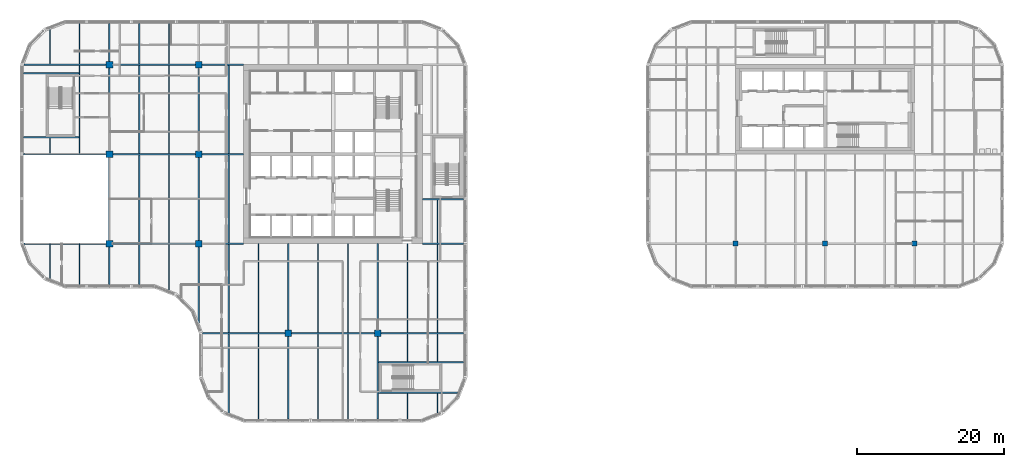
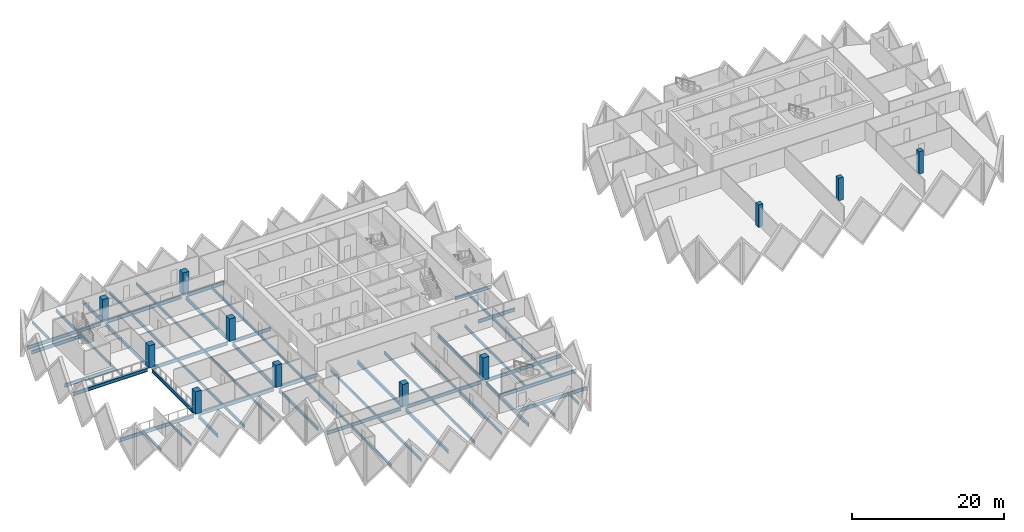
# One storey, part 1 of 19: 60 beams, 11 columns.
"""IFC4 building model written with IfcOpenShell, lengths in metres."""

import ifcopenshell
import ifcopenshell.guid

model = None  # the IFC model being written
_history = None  # IfcOwnerHistory: only IFC2X3 demands one
_inside = {}  # id of a spatial element -> (the spatial element, [elements in it])
_under = {}  # id of a project, library or spatial element -> (it, [spatial elements below it])
_declared = {}  # id of a project -> (the project, [libraries it declares])
_typed = {}  # id of a type object -> (the type object, [elements of that type])
_made_of = {}  # id of a material, layer set ... -> (it, [elements and type objects made of it])


def new_model(schema):
    """Start an empty IFC model of exactly this schema.

    Asked for "IFC4X3", IfcOpenShell would pick the latest addendum, in which some entities
    have other attributes; the version numbers below select the first issue.
    IFC2X3 requires an IfcOwnerHistory on every rooted entity: one is made here for all.
    """
    global model, _history
    if schema == "IFC4X3":
        model = ifcopenshell.file(schema_version=(4, 3, 0, 0))
    else:
        model = ifcopenshell.file(schema=schema)
    _inside.clear()
    _under.clear()
    _declared.clear()
    _typed.clear()
    _made_of.clear()
    _history = None
    if model.schema == "IFC2X3":
        org = make("IfcOrganization", Name="unknown")
        user = make(
            "IfcPersonAndOrganization",
            ThePerson=make("IfcPerson", FamilyName="unknown"),
            TheOrganization=org,
        )
        app = make(
            "IfcApplication",
            ApplicationDeveloper=org,
            Version="unknown",
            ApplicationFullName="unknown",
            ApplicationIdentifier="unknown",
        )
        _history = make(
            "IfcOwnerHistory",
            OwningUser=user,
            OwningApplication=app,
            ChangeAction="ADDED",
            CreationDate=0,
        )
    return model


def make(cls, **values):
    """One entity of the class cls with the attributes given. An attribute that is None is left unset."""
    return model.create_entity(
        cls, **{name: value for name, value in values.items() if value is not None}
    )


def rooted(cls, **values):
    """An entity with a GlobalId (a new one), such as an element, a storey or a relation."""
    return make(cls, GlobalId=ifcopenshell.guid.new(), OwnerHistory=_history, **values)


def si_unit(unit_type, name, prefix=None):
    """IfcSIUnit, for example si_unit("LENGTHUNIT", "METRE", prefix="MILLI")."""
    return make("IfcSIUnit", UnitType=unit_type, Prefix=prefix, Name=name)


def assignment(units):
    """IfcUnitAssignment: the units of a project."""
    return None if units is None else make("IfcUnitAssignment", Units=units)


def point(xyz):
    """IfcCartesianPoint."""
    return None if xyz is None else make("IfcCartesianPoint", Coordinates=xyz)


def direction(xyz):
    """IfcDirection."""
    return None if xyz is None else make("IfcDirection", DirectionRatios=xyz)


def frame(location, z_axis=None, x_axis=None):
    """IfcAxis2Placement3D, a coordinate frame: its origin and axes. An axis left out is left unset."""
    return make(
        "IfcAxis2Placement3D",
        Location=point(location),
        Axis=direction(z_axis),
        RefDirection=direction(x_axis),
    )


def frame_2d(location, x_axis=None):
    """IfcAxis2Placement2D, a coordinate frame in the plane: its origin and x axis."""
    return make(
        "IfcAxis2Placement2D", Location=point(location), RefDirection=direction(x_axis)
    )


def origin():
    """The frame at (0, 0, 0) with its axes left unset."""
    return frame((0.0, 0.0, 0.0))


def origin_2d():
    """The frame at (0, 0) in the plane with its x axis left unset."""
    return frame_2d((0.0, 0.0))


def place(relative_to, where):
    """IfcLocalPlacement: puts the frame where relative to a parent placement (None: the world)."""
    return make(
        "IfcLocalPlacement", PlacementRelTo=relative_to, RelativePlacement=where
    )


def context(
    kind, dimensions, precision=None, world=None, true_north=None, identifier=None
):
    """IfcGeometricRepresentationContext, for example the 3D "Model" context."""
    return make(
        "IfcGeometricRepresentationContext",
        ContextIdentifier=identifier,
        ContextType=kind,
        CoordinateSpaceDimension=dimensions,
        Precision=precision,
        WorldCoordinateSystem=world,
        TrueNorth=true_north,
    )


def subcontext(parent, identifier, kind, view, scale=None):
    """IfcGeometricRepresentationSubContext, for example "Body" below "Model"."""
    return make(
        "IfcGeometricRepresentationSubContext",
        ContextIdentifier=identifier,
        ContextType=kind,
        ParentContext=parent,
        TargetScale=scale,
        TargetView=view,
    )


def project(units=None, contexts=None):
    """IfcProject with its units and contexts."""
    return rooted(
        "IfcProject",
        Name="project",
        RepresentationContexts=contexts,
        UnitsInContext=assignment(units),
    )


def spatial(cls, under=None, at=None, **own):
    """A site, building, storey or space (cls), placed at a placement, below another one or the project."""
    s = rooted(cls, ObjectPlacement=at, **own)
    if under is not None:
        _under.setdefault(under.id(), (under, []))[1].append(s)
    return s


def profile(cls, at=None, kind="AREA", **sizes):
    """A parametric profile (cls). Its sizes go by their IFC names, for example OverallWidth=200.0."""
    return make(cls, ProfileType=kind, Position=at, **sizes)


def rectangle(**sizes):
    """IfcRectangleProfileDef."""
    return profile("IfcRectangleProfileDef", **sizes)


def i_section(**sizes):
    """IfcIShapeProfileDef."""
    return profile("IfcIShapeProfileDef", **sizes)


def extrude(swept, where, along, depth):
    """IfcExtrudedAreaSolid: the profile swept, set in the frame where, extruded along a direction by depth."""
    return make(
        "IfcExtrudedAreaSolid",
        SweptArea=swept,
        Position=where,
        ExtrudedDirection=direction(along),
        Depth=depth,
    )


def shape(context_of_items, identifier, shape_type, items):
    """IfcShapeRepresentation: the items that make up one representation, for example the "Body"."""
    return make(
        "IfcShapeRepresentation",
        ContextOfItems=context_of_items,
        RepresentationIdentifier=identifier,
        RepresentationType=shape_type,
        Items=items,
    )


def material(Name=None, Category=None):
    """IfcMaterial."""
    return make("IfcMaterial", Name=Name, Category=Category)


def material_profile(
    of_material, cross_section, Name=None, Category=None, Priority=None
):
    """IfcMaterialProfile: a cross section and its material."""
    return make(
        "IfcMaterialProfile",
        Name=Name,
        Material=of_material,
        Profile=cross_section,
        Priority=Priority,
        Category=Category,
    )


def profile_set(profiles, Name=None, composite=None):
    """IfcMaterialProfileSet."""
    return make(
        "IfcMaterialProfileSet",
        Name=Name,
        MaterialProfiles=profiles,
        CompositeProfile=composite,
    )


def made_of(thing, what):
    """Note that an element or type object is made of a material, layer set ...; save() writes the relation."""
    if what is not None:
        _made_of.setdefault(what.id(), (what, []))[1].append(thing)
    return thing


def type_object(cls, material=None, **own):
    """A type object (cls), such as IfcWallType, which elements share."""
    return made_of(rooted(cls, **own), material)


def element(
    cls,
    number,
    at=None,
    inside=None,
    cuts=None,
    type_object=None,
    material=None,
    context=None,
    identifier="Body",
    shape_type=None,
    held_by="IfcProductDefinitionShape",
    body=None,
    shapes=None,
    **own,
):
    """One element of the class cls, such as IfcWall. Its Tag is "e" and its number.

    at: its placement. inside: the storey or other place that contains it. cuts: it is an
    opening in that element (IfcRelVoidsElement). A single representation is given by context,
    identifier, shape_type and body (its items); several are given by shapes. held_by: the class
    of the entity that holds the representations. save() writes the other relations.
    """
    e = rooted(cls, Tag="e%d" % number, ObjectPlacement=at, **own)
    if body is not None:
        shapes = [shape(context, identifier, shape_type, body)]
    if shapes is not None:
        e.Representation = make(held_by, Representations=shapes)
    if inside is not None:
        _inside.setdefault(inside.id(), (inside, []))[1].append(e)
    if cuts is not None:
        rooted(
            "IfcRelVoidsElement", RelatingBuildingElement=cuts, RelatedOpeningElement=e
        )
    if type_object is not None:
        _typed.setdefault(type_object.id(), (type_object, []))[1].append(e)
    return made_of(e, material)


def aggregate(whole, parts):
    """IfcRelAggregates: a whole, such as a stair, and the parts it consists of."""
    return rooted("IfcRelAggregates", RelatingObject=whole, RelatedObjects=parts)


def save(model, path):
    """Write the relations noted so far, then the file.

    IfcRelAggregates (storeys below a building ...), IfcRelContainedInSpatialStructure (elements
    in a storey), IfcRelDefinesByType, IfcRelAssociatesMaterial and IfcRelDeclares: one each for
    every whole, place, type object, material and project.
    """
    for whole, parts in _under.values():
        aggregate(whole, parts)
    for where, things in _inside.values():
        rooted(
            "IfcRelContainedInSpatialStructure",
            RelatedElements=things,
            RelatingStructure=where,
        )
    for kind, things in _typed.values():
        rooted("IfcRelDefinesByType", RelatedObjects=things, RelatingType=kind)
    for what, things in _made_of.values():
        rooted("IfcRelAssociatesMaterial", RelatedObjects=things, RelatingMaterial=what)
    for by, libraries in _declared.values():
        rooted("IfcRelDeclares", RelatingContext=by, RelatedDefinitions=libraries)
    model.write(path)


model = new_model("IFC4")

# Units and contexts
model_context = context("Model", 3, precision=1e-05, world=origin(), true_north=direction((0.0, 1.0)))
body_context = subcontext(model_context, "Body", "Model", "MODEL_VIEW")
ifc_project = project(units=[si_unit("LENGTHUNIT", "METRE"), si_unit("AREAUNIT", "SQUARE_METRE"), si_unit("VOLUMEUNIT", "CUBIC_METRE"), si_unit("PLANEANGLEUNIT", "RADIAN"), si_unit("MASSUNIT", "GRAM", prefix="KILO")], contexts=[model_context])

# Site, building, storey
site_placement = place(None, origin())
site = spatial("IfcSite", under=ifc_project, at=site_placement, CompositionType="ELEMENT")
building_placement = place(site_placement, origin())
building = spatial("IfcBuilding", under=site, at=building_placement, Name="Tessera Gate Towers", CompositionType="ELEMENT")
storey_placement = place(building_placement, frame((0.0, 0.0, 83.800048828125)))
storey = spatial("IfcBuildingStorey", under=building, at=storey_placement, Name="L20", CompositionType="ELEMENT", Elevation=83.800048828125)

# Columns
ifc_material_1 = material(Name="Concrete C70/85", Category="concrete")
ifc_material_profile_1 = material_profile(ifc_material_1, rectangle(XDim=0.699951171875, YDim=0.699951171875, at=origin_2d()), Name="RC 700x700")
ifc_profile_set_1 = profile_set([ifc_material_profile_1], Name="Concrete C70/85")
column_type_1 = type_object("IfcColumnType", Name="COLUMN RC 700x700", PredefinedType="COLUMN", material=ifc_profile_set_1)
for number, where, z_axis, x_axis, name in (
    (1, (97.60009765625, 24.39990234375, 0.0), (0.0, 0.0, 1.0), (1.0, 0.0, 0.0), "T2-COL-9C-L20"),
    (2, (109.800048828125, 24.39990234375, 0.0), (0.0, 0.0, 1.0), (1.0, 0.0, 0.0), "T2-COL-10C-L20"),
    (3, (122.0, 24.39990234375, 0.0), (0.0, 0.0, 1.0), (1.0, 0.0, 0.0), "T2-COL-11C-L20"),
):
    element("IfcColumn", number, at=place(storey_placement, frame(where, z_axis=z_axis, x_axis=x_axis)), inside=storey, type_object=column_type_1, Name=name, PredefinedType="COLUMN", context=body_context, shape_type="SweptSolid", body=[
        extrude(rectangle(XDim=0.699951171875, YDim=0.699951171875, at=origin_2d()), origin(), (0.0, 0.0, 1.0), 3.599853515625),
    ])
ifc_material_2 = material(Name="Concrete C70/85", Category="concrete")
ifc_material_profile_2 = material_profile(ifc_material_2, rectangle(XDim=0.89990234375, YDim=0.89990234375, at=origin_2d()), Name="RC 900x900")
ifc_profile_set_2 = profile_set([ifc_material_profile_2], Name="Concrete C70/85")
column_type_2 = type_object("IfcColumnType", Name="COLUMN RC 900x900", PredefinedType="COLUMN", material=ifc_profile_set_2)
for number, where, z_axis, x_axis, name in (
    (4, (12.199951171875, 24.39990234375, 0.0), (0.0, 0.0, 1.0), (1.0, 0.0, 0.0), "T1-COL-2C-L20"),
    (5, (12.199951171875, 36.60009765625, 0.0), (0.0, 0.0, 1.0), (1.0, 0.0, 0.0), "T1-COL-2D-L20"),
    (6, (12.199951171875, 48.800048828125, 0.0), (0.0, 0.0, 1.0), (1.0, 0.0, 0.0), "T1-COL-2E-L20"),
    (7, (24.39990234375, 24.39990234375, 0.0), (0.0, 0.0, 1.0), (1.0, 0.0, 0.0), "T1-COL-3C-L20"),
    (8, (24.39990234375, 36.60009765625, 0.0), (0.0, 0.0, 1.0), (1.0, 0.0, 0.0), "T1-COL-3D-L20"),
    (9, (24.39990234375, 48.800048828125, 0.0), (0.0, 0.0, 1.0), (1.0, 0.0, 0.0), "T1-COL-3E-L20"),
    (10, (36.60009765625, 12.199951171875, 0.0), (0.0, 0.0, 1.0), (1.0, 0.0, 0.0), "T1-COL-4B-L20"),
    (11, (48.800048828125, 12.199951171875, 0.0), (0.0, 0.0, 1.0), (1.0, 0.0, 0.0), "T1-COL-5B-L20"),
):
    element("IfcColumn", number, at=place(storey_placement, frame(where, z_axis=z_axis, x_axis=x_axis)), inside=storey, type_object=column_type_2, Name=name, PredefinedType="COLUMN", context=body_context, shape_type="SweptSolid", body=[
        extrude(rectangle(XDim=0.89990234375, YDim=0.89990234375, at=origin_2d()), origin(), (0.0, 0.0, 1.0), 3.599853515625),
    ])

# Beams
ifc_material_3 = material(Name="Steel 350W", Category="steel")
ifc_material_profile_3 = material_profile(ifc_material_3, i_section(OverallWidth=0.208984375, OverallDepth=0.532958984375, WebThickness=0.01025390625, FlangeThickness=0.015625, at=origin_2d()), Name="W530x92")
ifc_profile_set_3 = profile_set([ifc_material_profile_3], Name="Steel 350W")
beam_type_1 = type_object("IfcBeamType", Name="FLOOR GIRDER W530x92", PredefinedType="BEAM", material=ifc_profile_set_3)
beam_1_placement = place(storey_placement, frame((24.89892578125, 12.199951171875, -0.466552734375), z_axis=(1.0, 0.0, 0.0), x_axis=(0.0, 1.0, 0.0)))
element("IfcBeam", 12, at=beam_1_placement, inside=storey, type_object=beam_type_1, Name="T1-GD-L20-2701", PredefinedType="BEAM", context=body_context, shape_type="SweptSolid", body=[
    extrude(i_section(OverallWidth=0.208984375, OverallDepth=0.532958984375, WebThickness=0.01025390625, FlangeThickness=0.015625, at=origin_2d()), origin(), (0.0, 0.0, 1.0), 11.2509765625),
])
beam_2_placement = place(storey_placement, frame((37.050048828125, 12.199951171875, -0.466552734375), z_axis=(1.0, 0.0, 0.0), x_axis=(0.0, 1.0, 0.0)))
element("IfcBeam", 13, at=beam_2_placement, inside=storey, type_object=beam_type_1, Name="T1-GD-L20-2702", PredefinedType="BEAM", context=body_context, shape_type="SweptSolid", body=[
    extrude(i_section(OverallWidth=0.208984375, OverallDepth=0.532958984375, WebThickness=0.01025390625, FlangeThickness=0.015625, at=origin_2d()), origin(), (0.0, 0.0, 1.0), 11.300048828125),
])
beam_3_placement = place(storey_placement, frame((49.25, 12.199951171875, -0.466552734375), z_axis=(1.0, 0.0, 0.0), x_axis=(0.0, 1.0, 0.0)))
element("IfcBeam", 14, at=beam_3_placement, inside=storey, type_object=beam_type_1, Name="T1-GD-L20-2703", PredefinedType="BEAM", context=body_context, shape_type="SweptSolid", body=[
    extrude(i_section(OverallWidth=0.208984375, OverallDepth=0.532958984375, WebThickness=0.01025390625, FlangeThickness=0.015625, at=origin_2d()), origin(), (0.0, 0.0, 1.0), 11.2509765625),
])
beam_4_placement = place(storey_placement, frame((0.534912109375, 24.39990234375, -0.466552734375), z_axis=(1.0, 0.0, 0.0), x_axis=(0.0, 1.0, 0.0)))
element("IfcBeam", 15, at=beam_4_placement, inside=storey, type_object=beam_type_1, Name="T1-GD-L20-2704", PredefinedType="BEAM", context=body_context, shape_type="SweptSolid", body=[
    extrude(i_section(OverallWidth=0.208984375, OverallDepth=0.532958984375, WebThickness=0.01025390625, FlangeThickness=0.015625, at=origin_2d()), origin(), (0.0, 0.0, 1.0), 11.215087890625),
])
beam_5_placement = place(storey_placement, frame((12.64990234375, 24.39990234375, -0.466552734375), z_axis=(1.0, 0.0, 0.0), x_axis=(0.0, 1.0, 0.0)))
element("IfcBeam", 16, at=beam_5_placement, inside=storey, type_object=beam_type_1, Name="T1-GD-L20-2705", PredefinedType="BEAM", context=body_context, shape_type="SweptSolid", body=[
    extrude(i_section(OverallWidth=0.208984375, OverallDepth=0.532958984375, WebThickness=0.01025390625, FlangeThickness=0.015625, at=origin_2d()), origin(), (0.0, 0.0, 1.0), 11.300048828125),
])
beam_6_placement = place(storey_placement, frame((24.85009765625, 24.39990234375, -0.466552734375), z_axis=(1.0, 0.0, 0.0), x_axis=(0.0, 1.0, 0.0)))
element("IfcBeam", 17, at=beam_6_placement, inside=storey, type_object=beam_type_1, Name="T1-GD-L20-2706", PredefinedType="BEAM", context=body_context, shape_type="SweptSolid", body=[
    extrude(i_section(OverallWidth=0.208984375, OverallDepth=0.532958984375, WebThickness=0.01025390625, FlangeThickness=0.015625, at=origin_2d()), origin(), (0.0, 0.0, 1.0), 5.64892578125),
])
beam_7_placement = place(storey_placement, frame((54.90087890625, 24.39990234375, -0.466552734375), z_axis=(1.0, 0.0, 0.0), x_axis=(0.0, 1.0, 0.0)))
element("IfcBeam", 18, at=beam_7_placement, inside=storey, type_object=beam_type_1, Name="T1-GD-L20-2707", PredefinedType="BEAM", context=body_context, shape_type="SweptSolid", body=[
    extrude(i_section(OverallWidth=0.208984375, OverallDepth=0.532958984375, WebThickness=0.01025390625, FlangeThickness=0.015625, at=origin_2d()), origin(), (0.0, 0.0, 1.0), 5.60009765625),
])
beam_8_placement = place(storey_placement, frame((0.4990234375, 36.60009765625, -0.466552734375), z_axis=(1.0, 0.0, 0.0), x_axis=(0.0, 1.0, 0.0)))
element("IfcBeam", 19, at=beam_8_placement, inside=storey, type_object=beam_type_1, Name="T1-GD-L20-2708", PredefinedType="BEAM", context=body_context, shape_type="SweptSolid", body=[
    extrude(i_section(OverallWidth=0.208984375, OverallDepth=0.532958984375, WebThickness=0.01025390625, FlangeThickness=0.015625, at=origin_2d()), origin(), (0.0, 0.0, 1.0), 11.2509765625),
])
beam_9_placement = place(storey_placement, frame((12.64990234375, 36.60009765625, -0.466552734375), z_axis=(1.0, 0.0, 0.0), x_axis=(0.0, 1.0, 0.0)))
element("IfcBeam", 20, at=beam_9_placement, inside=storey, type_object=beam_type_1, Name="T1-GD-L20-2709", PredefinedType="BEAM", context=body_context, shape_type="SweptSolid", body=[
    extrude(i_section(OverallWidth=0.208984375, OverallDepth=0.532958984375, WebThickness=0.01025390625, FlangeThickness=0.015625, at=origin_2d()), origin(), (0.0, 0.0, 1.0), 11.300048828125),
])
beam_10_placement = place(storey_placement, frame((24.85009765625, 36.60009765625, -0.466552734375), z_axis=(1.0, 0.0, 0.0), x_axis=(0.0, 1.0, 0.0)))
element("IfcBeam", 21, at=beam_10_placement, inside=storey, type_object=beam_type_1, Name="T1-GD-L20-2710", PredefinedType="BEAM", context=body_context, shape_type="SweptSolid", body=[
    extrude(i_section(OverallWidth=0.208984375, OverallDepth=0.532958984375, WebThickness=0.01025390625, FlangeThickness=0.015625, at=origin_2d()), origin(), (0.0, 0.0, 1.0), 5.65087890625),
])
beam_11_placement = place(storey_placement, frame((0.534912109375, 48.800048828125, -0.466552734375), z_axis=(1.0, 0.0, 0.0), x_axis=(0.0, 1.0, 0.0)))
element("IfcBeam", 22, at=beam_11_placement, inside=storey, type_object=beam_type_1, Name="T1-GD-L20-2712", PredefinedType="BEAM", context=body_context, shape_type="SweptSolid", body=[
    extrude(i_section(OverallWidth=0.208984375, OverallDepth=0.532958984375, WebThickness=0.01025390625, FlangeThickness=0.015625, at=origin_2d()), origin(), (0.0, 0.0, 1.0), 11.215087890625),
])
beam_12_placement = place(storey_placement, frame((12.64990234375, 48.800048828125, -0.466552734375), z_axis=(1.0, 0.0, 0.0), x_axis=(0.0, 1.0, 0.0)))
element("IfcBeam", 23, at=beam_12_placement, inside=storey, type_object=beam_type_1, Name="T1-GD-L20-2713", PredefinedType="BEAM", context=body_context, shape_type="SweptSolid", body=[
    extrude(i_section(OverallWidth=0.208984375, OverallDepth=0.532958984375, WebThickness=0.01025390625, FlangeThickness=0.015625, at=origin_2d()), origin(), (0.0, 0.0, 1.0), 11.300048828125),
])
beam_13_placement = place(storey_placement, frame((24.85009765625, 48.800048828125, -0.466552734375), z_axis=(1.0, 0.0, 0.0), x_axis=(0.0, 1.0, 0.0)))
element("IfcBeam", 24, at=beam_13_placement, inside=storey, type_object=beam_type_1, Name="T1-GD-L20-2714", PredefinedType="BEAM", context=body_context, shape_type="SweptSolid", body=[
    extrude(i_section(OverallWidth=0.208984375, OverallDepth=0.532958984375, WebThickness=0.01025390625, FlangeThickness=0.015625, at=origin_2d()), origin(), (0.0, 0.0, 1.0), 5.64892578125),
])
beam_14_placement = place(storey_placement, frame((12.199951171875, 18.799072265625, -0.466552734375), z_axis=(0.0, 1.0, 0.0), x_axis=(-1.0, 0.0, 0.0)))
element("IfcBeam", 25, at=beam_14_placement, inside=storey, type_object=beam_type_1, Name="T1-GD-L20-2716", PredefinedType="BEAM", context=body_context, shape_type="SweptSolid", body=[
    extrude(i_section(OverallWidth=0.208984375, OverallDepth=0.532958984375, WebThickness=0.01025390625, FlangeThickness=0.015625, at=origin_2d()), origin(), (0.0, 0.0, 1.0), 5.15087890625),
])
beam_15_placement = place(storey_placement, frame((12.199951171875, 24.85009765625, -0.466552734375), z_axis=(0.0, 1.0, 0.0), x_axis=(-1.0, 0.0, 0.0)))
element("IfcBeam", 26, at=beam_15_placement, inside=storey, type_object=beam_type_1, Name="T1-GD-L20-2717", PredefinedType="BEAM", context=body_context, shape_type="SweptSolid", body=[
    extrude(i_section(OverallWidth=0.208984375, OverallDepth=0.532958984375, WebThickness=0.01025390625, FlangeThickness=0.015625, at=origin_2d()), origin(), (0.0, 0.0, 1.0), 11.2998046875),
])
beam_16_placement = place(storey_placement, frame((12.199951171875, 37.050048828125, -0.466552734375), z_axis=(0.0, 1.0, 0.0), x_axis=(-1.0, 0.0, 0.0)))
element("IfcBeam", 27, at=beam_16_placement, inside=storey, type_object=beam_type_1, Name="T1-GD-L20-2718", PredefinedType="BEAM", context=body_context, shape_type="SweptSolid", body=[
    extrude(i_section(OverallWidth=0.208984375, OverallDepth=0.532958984375, WebThickness=0.01025390625, FlangeThickness=0.015625, at=origin_2d()), origin(), (0.0, 0.0, 1.0), 11.300048828125),
])
beam_17_placement = place(storey_placement, frame((12.199951171875, 49.25, -0.466552734375), z_axis=(0.0, 1.0, 0.0), x_axis=(-1.0, 0.0, 0.0)))
element("IfcBeam", 28, at=beam_17_placement, inside=storey, type_object=beam_type_1, Name="T1-GD-L20-2719", PredefinedType="BEAM", context=body_context, shape_type="SweptSolid", body=[
    extrude(i_section(OverallWidth=0.208984375, OverallDepth=0.532958984375, WebThickness=0.01025390625, FlangeThickness=0.015625, at=origin_2d()), origin(), (0.0, 0.0, 1.0), 5.15087890625),
])
beam_18_placement = place(storey_placement, frame((24.39990234375, 13.58642578125, -0.466552734375), z_axis=(0.0, 1.0, 0.0), x_axis=(-1.0, 0.0, 0.0)))
element("IfcBeam", 29, at=beam_18_placement, inside=storey, type_object=beam_type_1, Name="T1-GD-L20-2720", PredefinedType="BEAM", context=body_context, shape_type="SweptSolid", body=[
    extrude(i_section(OverallWidth=0.208984375, OverallDepth=0.532958984375, WebThickness=0.01025390625, FlangeThickness=0.015625, at=origin_2d()), origin(), (0.0, 0.0, 1.0), 10.363525390625),
])
beam_19_placement = place(storey_placement, frame((24.39990234375, 24.85009765625, -0.466552734375), z_axis=(0.0, 1.0, 0.0), x_axis=(-1.0, 0.0, 0.0)))
element("IfcBeam", 30, at=beam_19_placement, inside=storey, type_object=beam_type_1, Name="T1-GD-L20-2721", PredefinedType="BEAM", context=body_context, shape_type="SweptSolid", body=[
    extrude(i_section(OverallWidth=0.208984375, OverallDepth=0.532958984375, WebThickness=0.01025390625, FlangeThickness=0.015625, at=origin_2d()), origin(), (0.0, 0.0, 1.0), 11.2998046875),
])
beam_20_placement = place(storey_placement, frame((24.39990234375, 37.050048828125, -0.466552734375), z_axis=(0.0, 1.0, 0.0), x_axis=(-1.0, 0.0, 0.0)))
element("IfcBeam", 31, at=beam_20_placement, inside=storey, type_object=beam_type_1, Name="T1-GD-L20-2722", PredefinedType="BEAM", context=body_context, shape_type="SweptSolid", body=[
    extrude(i_section(OverallWidth=0.208984375, OverallDepth=0.532958984375, WebThickness=0.01025390625, FlangeThickness=0.015625, at=origin_2d()), origin(), (0.0, 0.0, 1.0), 11.300048828125),
])
beam_21_placement = place(storey_placement, frame((36.60009765625, 0.4990234375, -0.466552734375), z_axis=(0.0, 1.0, 0.0), x_axis=(-1.0, 0.0, 0.0)))
element("IfcBeam", 32, at=beam_21_placement, inside=storey, type_object=beam_type_1, Name="T1-GD-L20-2724", PredefinedType="BEAM", context=body_context, shape_type="SweptSolid", body=[
    extrude(i_section(OverallWidth=0.208984375, OverallDepth=0.532958984375, WebThickness=0.01025390625, FlangeThickness=0.015625, at=origin_2d()), origin(), (0.0, 0.0, 1.0), 11.2509765625),
])
beam_22_placement = place(storey_placement, frame((36.60009765625, 12.64990234375, -0.466552734375), z_axis=(0.0, 1.0, 0.0), x_axis=(-1.0, 0.0, 0.0)))
element("IfcBeam", 33, at=beam_22_placement, inside=storey, type_object=beam_type_1, Name="T1-GD-L20-2725", PredefinedType="BEAM", context=body_context, shape_type="SweptSolid", body=[
    extrude(i_section(OverallWidth=0.208984375, OverallDepth=0.532958984375, WebThickness=0.01025390625, FlangeThickness=0.015625, at=origin_2d()), origin(), (0.0, 0.0, 1.0), 11.75),
])
beam_23_placement = place(storey_placement, frame((48.800048828125, 0.4990234375, -0.466552734375), z_axis=(0.0, 1.0, 0.0), x_axis=(-1.0, 0.0, 0.0)))
element("IfcBeam", 34, at=beam_23_placement, inside=storey, type_object=beam_type_1, Name="T1-GD-L20-2726", PredefinedType="BEAM", context=body_context, shape_type="SweptSolid", body=[
    extrude(i_section(OverallWidth=0.208984375, OverallDepth=0.532958984375, WebThickness=0.01025390625, FlangeThickness=0.015625, at=origin_2d()), origin(), (0.0, 0.0, 1.0), 11.2509765625),
])
beam_24_placement = place(storey_placement, frame((48.800048828125, 12.64990234375, -0.466552734375), z_axis=(0.0, 1.0, 0.0), x_axis=(-1.0, 0.0, 0.0)))
element("IfcBeam", 35, at=beam_24_placement, inside=storey, type_object=beam_type_1, Name="T1-GD-L20-2727", PredefinedType="BEAM", context=body_context, shape_type="SweptSolid", body=[
    extrude(i_section(OverallWidth=0.208984375, OverallDepth=0.532958984375, WebThickness=0.01025390625, FlangeThickness=0.015625, at=origin_2d()), origin(), (0.0, 0.0, 1.0), 11.75),
])
for number, where, z_axis, x_axis, name in (
    (36, (0.4990234375, 38.8798828125, -0.466552734375), (1.0, 0.0, 0.0), (0.0, 1.0, 0.0), "T1-GD-L20-2728"),
    (37, (0.4990234375, 47.6201171875, -0.466552734375), (1.0, 0.0, 0.0), (0.0, 1.0, 0.0), "T1-GD-L20-2729"),
):
    element("IfcBeam", number, at=place(storey_placement, frame(where, z_axis=z_axis, x_axis=x_axis)), inside=storey, type_object=beam_type_1, Name=name, PredefinedType="BEAM", context=body_context, shape_type="SweptSolid", body=[
        extrude(i_section(OverallWidth=0.208984375, OverallDepth=0.532958984375, WebThickness=0.01025390625, FlangeThickness=0.015625, at=origin_2d()), origin(), (0.0, 0.0, 1.0), 7.557861328125),
    ])
beam_25_placement = place(storey_placement, frame((48.87646484375, 4.080078125, -0.466552734375), z_axis=(1.0, 0.0, 0.0), x_axis=(0.0, 1.0, 0.0)))
element("IfcBeam", 38, at=beam_25_placement, inside=storey, type_object=beam_type_1, Name="T1-GD-L20-2730", PredefinedType="BEAM", context=body_context, shape_type="SweptSolid", body=[
    extrude(i_section(OverallWidth=0.208984375, OverallDepth=0.532958984375, WebThickness=0.01025390625, FlangeThickness=0.015625, at=origin_2d()), origin(), (0.0, 0.0, 1.0), 10.809326171875),
])
beam_26_placement = place(storey_placement, frame((48.87646484375, 8.219970703125, -0.466552734375), z_axis=(1.0, 0.0, 0.0), x_axis=(0.0, 1.0, 0.0)))
element("IfcBeam", 39, at=beam_26_placement, inside=storey, type_object=beam_type_1, Name="T1-GD-L20-2731", PredefinedType="BEAM", context=body_context, shape_type="SweptSolid", body=[
    extrude(i_section(OverallWidth=0.208984375, OverallDepth=0.532958984375, WebThickness=0.01025390625, FlangeThickness=0.015625, at=origin_2d()), origin(), (0.0, 0.0, 1.0), 11.62451171875),
])
beam_27_placement = place(storey_placement, frame((54.89892578125, 30.47998046875, -0.466552734375), z_axis=(1.0, 0.0, 0.0), x_axis=(0.0, 1.0, 0.0)))
element("IfcBeam", 40, at=beam_27_placement, inside=storey, type_object=beam_type_1, Name="T1-GD-L20-2732", PredefinedType="BEAM", context=body_context, shape_type="SweptSolid", body=[
    extrude(i_section(OverallWidth=0.208984375, OverallDepth=0.532958984375, WebThickness=0.01025390625, FlangeThickness=0.015625, at=origin_2d()), origin(), (0.0, 0.0, 1.0), 5.60205078125),
])
ifc_material_4 = material(Name="Steel 350W", Category="steel")
ifc_material_profile_4 = material_profile(ifc_material_4, i_section(OverallWidth=0.153076171875, OverallDepth=0.455078125, WebThickness=0.008056640625, FlangeThickness=0.01318359375, at=origin_2d()), Name="W460x60")
ifc_profile_set_4 = profile_set([ifc_material_profile_4], Name="Steel 350W")
beam_type_2 = type_object("IfcBeamType", Name="FLOOR SECONDARY W460x60", PredefinedType="BEAM", material=ifc_profile_set_4)
beam_28_placement = place(storey_placement, frame((4.066650390625, 19.620361328125, -0.427490234375), z_axis=(0.0, 1.0, 0.0), x_axis=(-1.0, 0.0, 0.0)))
element("IfcBeam", 41, at=beam_28_placement, inside=storey, type_object=beam_type_2, Name="T1-BM-L20-2735", PredefinedType="BEAM", context=body_context, shape_type="SweptSolid", body=[
    extrude(i_section(OverallWidth=0.153076171875, OverallDepth=0.455078125, WebThickness=0.008056640625, FlangeThickness=0.01318359375, at=origin_2d()), origin(), (0.0, 0.0, 1.0), 4.779541015625),
])
beam_29_placement = place(storey_placement, frame((4.066650390625, 36.70458984375, -0.427490234375), z_axis=(0.0, 1.0, 0.0), x_axis=(-1.0, 0.0, 0.0)))
element("IfcBeam", 42, at=beam_29_placement, inside=storey, type_object=beam_type_2, Name="T1-BM-L20-2736", PredefinedType="BEAM", context=body_context, shape_type="SweptSolid", body=[
    extrude(i_section(OverallWidth=0.153076171875, OverallDepth=0.455078125, WebThickness=0.008056640625, FlangeThickness=0.01318359375, at=origin_2d()), origin(), (0.0, 0.0, 1.0), 2.07080078125),
])
beam_30_placement = place(storey_placement, frame((4.066650390625, 48.904541015625, -0.427490234375), z_axis=(0.0, 1.0, 0.0), x_axis=(-1.0, 0.0, 0.0)))
element("IfcBeam", 43, at=beam_30_placement, inside=storey, type_object=beam_type_2, Name="T1-BM-L20-2737", PredefinedType="BEAM", context=body_context, shape_type="SweptSolid", body=[
    extrude(i_section(OverallWidth=0.153076171875, OverallDepth=0.455078125, WebThickness=0.008056640625, FlangeThickness=0.01318359375, at=origin_2d()), origin(), (0.0, 0.0, 1.0), 4.675048828125),
])
beam_31_placement = place(storey_placement, frame((8.13330078125, 18.800048828125, -0.427490234375), z_axis=(0.0, 1.0, 0.0), x_axis=(-1.0, 0.0, 0.0)))
element("IfcBeam", 44, at=beam_31_placement, inside=storey, type_object=beam_type_2, Name="T1-BM-L20-2738", PredefinedType="BEAM", context=body_context, shape_type="SweptSolid", body=[
    extrude(i_section(OverallWidth=0.153076171875, OverallDepth=0.455078125, WebThickness=0.008056640625, FlangeThickness=0.01318359375, at=origin_2d()), origin(), (0.0, 0.0, 1.0), 5.599853515625),
])
beam_32_placement = place(storey_placement, frame((8.13330078125, 36.70458984375, -0.427490234375), z_axis=(0.0, 1.0, 0.0), x_axis=(-1.0, 0.0, 0.0)))
element("IfcBeam", 45, at=beam_32_placement, inside=storey, type_object=beam_type_2, Name="T1-BM-L20-2739", PredefinedType="BEAM", context=body_context, shape_type="SweptSolid", body=[
    extrude(i_section(OverallWidth=0.153076171875, OverallDepth=0.455078125, WebThickness=0.008056640625, FlangeThickness=0.01318359375, at=origin_2d()), origin(), (0.0, 0.0, 1.0), 11.990966796875),
])
for number, where, z_axis, x_axis, name in (
    (46, (8.13330078125, 48.904541015625, -0.427490234375), (0.0, 1.0, 0.0), (-1.0, 0.0, 0.0), "T1-BM-L20-2740"),
    (47, (16.2666015625, 18.800048828125, -0.427490234375), (0.0, 1.0, 0.0), (-1.0, 0.0, 0.0), "T1-BM-L20-2741"),
):
    element("IfcBeam", number, at=place(storey_placement, frame(where, z_axis=z_axis, x_axis=x_axis)), inside=storey, type_object=beam_type_2, Name=name, PredefinedType="BEAM", context=body_context, shape_type="SweptSolid", body=[
        extrude(i_section(OverallWidth=0.153076171875, OverallDepth=0.455078125, WebThickness=0.008056640625, FlangeThickness=0.01318359375, at=origin_2d()), origin(), (0.0, 0.0, 1.0), 5.495361328125),
    ])
beam_33_placement = place(storey_placement, frame((16.2666015625, 24.50439453125, -0.427490234375), z_axis=(0.0, 1.0, 0.0), x_axis=(-1.0, 0.0, 0.0)))
element("IfcBeam", 48, at=beam_33_placement, inside=storey, type_object=beam_type_2, Name="T1-BM-L20-2742", PredefinedType="BEAM", context=body_context, shape_type="SweptSolid", body=[
    extrude(i_section(OverallWidth=0.153076171875, OverallDepth=0.455078125, WebThickness=0.008056640625, FlangeThickness=0.01318359375, at=origin_2d()), origin(), (0.0, 0.0, 1.0), 11.9912109375),
])
beam_34_placement = place(storey_placement, frame((16.2666015625, 36.70458984375, -0.427490234375), z_axis=(0.0, 1.0, 0.0), x_axis=(-1.0, 0.0, 0.0)))
element("IfcBeam", 49, at=beam_34_placement, inside=storey, type_object=beam_type_2, Name="T1-BM-L20-2743", PredefinedType="BEAM", context=body_context, shape_type="SweptSolid", body=[
    extrude(i_section(OverallWidth=0.153076171875, OverallDepth=0.455078125, WebThickness=0.008056640625, FlangeThickness=0.01318359375, at=origin_2d()), origin(), (0.0, 0.0, 1.0), 11.990966796875),
])
beam_35_placement = place(storey_placement, frame((16.2666015625, 48.904541015625, -0.427490234375), z_axis=(0.0, 1.0, 0.0), x_axis=(-1.0, 0.0, 0.0)))
element("IfcBeam", 50, at=beam_35_placement, inside=storey, type_object=beam_type_2, Name="T1-BM-L20-2744", PredefinedType="BEAM", context=body_context, shape_type="SweptSolid", body=[
    extrude(i_section(OverallWidth=0.153076171875, OverallDepth=0.455078125, WebThickness=0.008056640625, FlangeThickness=0.01318359375, at=origin_2d()), origin(), (0.0, 0.0, 1.0), 5.495361328125),
])
beam_36_placement = place(storey_placement, frame((20.333251953125, 18.051513671875, -0.427490234375), z_axis=(0.0, 1.0, 0.0), x_axis=(-1.0, 0.0, 0.0)))
element("IfcBeam", 51, at=beam_36_placement, inside=storey, type_object=beam_type_2, Name="T1-BM-L20-2745", PredefinedType="BEAM", context=body_context, shape_type="SweptSolid", body=[
    extrude(i_section(OverallWidth=0.153076171875, OverallDepth=0.455078125, WebThickness=0.008056640625, FlangeThickness=0.01318359375, at=origin_2d()), origin(), (0.0, 0.0, 1.0), 6.243896484375),
])
beam_37_placement = place(storey_placement, frame((20.333251953125, 24.50439453125, -0.427490234375), z_axis=(0.0, 1.0, 0.0), x_axis=(-1.0, 0.0, 0.0)))
element("IfcBeam", 52, at=beam_37_placement, inside=storey, type_object=beam_type_2, Name="T1-BM-L20-2746", PredefinedType="BEAM", context=body_context, shape_type="SweptSolid", body=[
    extrude(i_section(OverallWidth=0.153076171875, OverallDepth=0.455078125, WebThickness=0.008056640625, FlangeThickness=0.01318359375, at=origin_2d()), origin(), (0.0, 0.0, 1.0), 11.9912109375),
])
beam_38_placement = place(storey_placement, frame((20.333251953125, 36.70458984375, -0.427490234375), z_axis=(0.0, 1.0, 0.0), x_axis=(-1.0, 0.0, 0.0)))
element("IfcBeam", 53, at=beam_38_placement, inside=storey, type_object=beam_type_2, Name="T1-BM-L20-2747", PredefinedType="BEAM", context=body_context, shape_type="SweptSolid", body=[
    extrude(i_section(OverallWidth=0.153076171875, OverallDepth=0.455078125, WebThickness=0.008056640625, FlangeThickness=0.01318359375, at=origin_2d()), origin(), (0.0, 0.0, 1.0), 11.990966796875),
])
beam_39_placement = place(storey_placement, frame((20.333251953125, 48.904541015625, -0.427490234375), z_axis=(0.0, 1.0, 0.0), x_axis=(-1.0, 0.0, 0.0)))
element("IfcBeam", 54, at=beam_39_placement, inside=storey, type_object=beam_type_2, Name="T1-BM-L20-2748", PredefinedType="BEAM", context=body_context, shape_type="SweptSolid", body=[
    extrude(i_section(OverallWidth=0.153076171875, OverallDepth=0.455078125, WebThickness=0.008056640625, FlangeThickness=0.01318359375, at=origin_2d()), origin(), (0.0, 0.0, 1.0), 5.495361328125),
])
beam_40_placement = place(storey_placement, frame((28.466796875, 1.3203125, -0.427490234375), z_axis=(0.0, 1.0, 0.0), x_axis=(-1.0, 0.0, 0.0)))
element("IfcBeam", 55, at=beam_40_placement, inside=storey, type_object=beam_type_2, Name="T1-BM-L20-2749", PredefinedType="BEAM", context=body_context, shape_type="SweptSolid", body=[
    extrude(i_section(OverallWidth=0.153076171875, OverallDepth=0.455078125, WebThickness=0.008056640625, FlangeThickness=0.01318359375, at=origin_2d()), origin(), (0.0, 0.0, 1.0), 10.775146484375),
])
beam_41_placement = place(storey_placement, frame((28.466796875, 12.304443359375, -0.427490234375), z_axis=(0.0, 1.0, 0.0), x_axis=(-1.0, 0.0, 0.0)))
element("IfcBeam", 56, at=beam_41_placement, inside=storey, type_object=beam_type_2, Name="T1-BM-L20-2750", PredefinedType="BEAM", context=body_context, shape_type="SweptSolid", body=[
    extrude(i_section(OverallWidth=0.153076171875, OverallDepth=0.455078125, WebThickness=0.008056640625, FlangeThickness=0.01318359375, at=origin_2d()), origin(), (0.0, 0.0, 1.0), 11.990966796875),
])
beam_42_placement = place(storey_placement, frame((28.466796875, 24.50439453125, -0.427490234375), z_axis=(0.0, 1.0, 0.0), x_axis=(-1.0, 0.0, 0.0)))
element("IfcBeam", 57, at=beam_42_placement, inside=storey, type_object=beam_type_2, Name="T1-BM-L20-2751", PredefinedType="BEAM", context=body_context, shape_type="SweptSolid", body=[
    extrude(i_section(OverallWidth=0.153076171875, OverallDepth=0.455078125, WebThickness=0.008056640625, FlangeThickness=0.01318359375, at=origin_2d()), origin(), (0.0, 0.0, 1.0), 11.9912109375),
])
beam_43_placement = place(storey_placement, frame((28.466796875, 36.70458984375, -0.427490234375), z_axis=(0.0, 1.0, 0.0), x_axis=(-1.0, 0.0, 0.0)))
element("IfcBeam", 58, at=beam_43_placement, inside=storey, type_object=beam_type_2, Name="T1-BM-L20-2752", PredefinedType="BEAM", context=body_context, shape_type="SweptSolid", body=[
    extrude(i_section(OverallWidth=0.153076171875, OverallDepth=0.455078125, WebThickness=0.008056640625, FlangeThickness=0.01318359375, at=origin_2d()), origin(), (0.0, 0.0, 1.0), 11.990966796875),
])
beam_44_placement = place(storey_placement, frame((32.533203125, 0.5, -0.427490234375), z_axis=(0.0, 1.0, 0.0), x_axis=(-1.0, 0.0, 0.0)))
element("IfcBeam", 59, at=beam_44_placement, inside=storey, type_object=beam_type_2, Name="T1-BM-L20-2754", PredefinedType="BEAM", context=body_context, shape_type="SweptSolid", body=[
    extrude(i_section(OverallWidth=0.153076171875, OverallDepth=0.455078125, WebThickness=0.008056640625, FlangeThickness=0.01318359375, at=origin_2d()), origin(), (0.0, 0.0, 1.0), 11.595458984375),
])
beam_45_placement = place(storey_placement, frame((32.533203125, 12.304443359375, -0.427490234375), z_axis=(0.0, 1.0, 0.0), x_axis=(-1.0, 0.0, 0.0)))
element("IfcBeam", 60, at=beam_45_placement, inside=storey, type_object=beam_type_2, Name="T1-BM-L20-2755", PredefinedType="BEAM", context=body_context, shape_type="SweptSolid", body=[
    extrude(i_section(OverallWidth=0.153076171875, OverallDepth=0.455078125, WebThickness=0.008056640625, FlangeThickness=0.01318359375, at=origin_2d()), origin(), (0.0, 0.0, 1.0), 12.095458984375),
])
beam_46_placement = place(storey_placement, frame((40.666748046875, 0.5, -0.427490234375), z_axis=(0.0, 1.0, 0.0), x_axis=(-1.0, 0.0, 0.0)))
element("IfcBeam", 61, at=beam_46_placement, inside=storey, type_object=beam_type_2, Name="T1-BM-L20-2758", PredefinedType="BEAM", context=body_context, shape_type="SweptSolid", body=[
    extrude(i_section(OverallWidth=0.153076171875, OverallDepth=0.455078125, WebThickness=0.008056640625, FlangeThickness=0.01318359375, at=origin_2d()), origin(), (0.0, 0.0, 1.0), 11.595458984375),
])
beam_47_placement = place(storey_placement, frame((40.666748046875, 12.304443359375, -0.427490234375), z_axis=(0.0, 1.0, 0.0), x_axis=(-1.0, 0.0, 0.0)))
element("IfcBeam", 62, at=beam_47_placement, inside=storey, type_object=beam_type_2, Name="T1-BM-L20-2759", PredefinedType="BEAM", context=body_context, shape_type="SweptSolid", body=[
    extrude(i_section(OverallWidth=0.153076171875, OverallDepth=0.455078125, WebThickness=0.008056640625, FlangeThickness=0.01318359375, at=origin_2d()), origin(), (0.0, 0.0, 1.0), 12.095458984375),
])
beam_48_placement = place(storey_placement, frame((44.7333984375, 0.5, -0.427490234375), z_axis=(0.0, 1.0, 0.0), x_axis=(-1.0, 0.0, 0.0)))
element("IfcBeam", 63, at=beam_48_placement, inside=storey, type_object=beam_type_2, Name="T1-BM-L20-2761", PredefinedType="BEAM", context=body_context, shape_type="SweptSolid", body=[
    extrude(i_section(OverallWidth=0.153076171875, OverallDepth=0.455078125, WebThickness=0.008056640625, FlangeThickness=0.01318359375, at=origin_2d()), origin(), (0.0, 0.0, 1.0), 11.595458984375),
])
beam_49_placement = place(storey_placement, frame((44.7333984375, 12.304443359375, -0.427490234375), z_axis=(0.0, 1.0, 0.0), x_axis=(-1.0, 0.0, 0.0)))
element("IfcBeam", 64, at=beam_49_placement, inside=storey, type_object=beam_type_2, Name="T1-BM-L20-2762", PredefinedType="BEAM", context=body_context, shape_type="SweptSolid", body=[
    extrude(i_section(OverallWidth=0.153076171875, OverallDepth=0.455078125, WebThickness=0.008056640625, FlangeThickness=0.01318359375, at=origin_2d()), origin(), (0.0, 0.0, 1.0), 12.095458984375),
])
beam_50_placement = place(storey_placement, frame((52.86669921875, 0.5, -0.427490234375), z_axis=(0.0, 1.0, 0.0), x_axis=(-1.0, 0.0, 0.0)))
element("IfcBeam", 65, at=beam_50_placement, inside=storey, type_object=beam_type_2, Name="T1-BM-L20-2765", PredefinedType="BEAM", context=body_context, shape_type="SweptSolid", body=[
    extrude(i_section(OverallWidth=0.153076171875, OverallDepth=0.455078125, WebThickness=0.008056640625, FlangeThickness=0.01318359375, at=origin_2d()), origin(), (0.0, 0.0, 1.0), 3.4755859375),
])
beam_51_placement = place(storey_placement, frame((52.86669921875, 8.324462890625, -0.427490234375), z_axis=(0.0, 1.0, 0.0), x_axis=(-1.0, 0.0, 0.0)))
element("IfcBeam", 66, at=beam_51_placement, inside=storey, type_object=beam_type_2, Name="T1-BM-L20-2766", PredefinedType="BEAM", context=body_context, shape_type="SweptSolid", body=[
    extrude(i_section(OverallWidth=0.153076171875, OverallDepth=0.455078125, WebThickness=0.008056640625, FlangeThickness=0.01318359375, at=origin_2d()), origin(), (0.0, 0.0, 1.0), 3.77099609375),
])
beam_52_placement = place(storey_placement, frame((52.86669921875, 12.304443359375, -0.427490234375), z_axis=(0.0, 1.0, 0.0), x_axis=(-1.0, 0.0, 0.0)))
element("IfcBeam", 67, at=beam_52_placement, inside=storey, type_object=beam_type_2, Name="T1-BM-L20-2767", PredefinedType="BEAM", context=body_context, shape_type="SweptSolid", body=[
    extrude(i_section(OverallWidth=0.153076171875, OverallDepth=0.455078125, WebThickness=0.008056640625, FlangeThickness=0.01318359375, at=origin_2d()), origin(), (0.0, 0.0, 1.0), 12.095458984375),
])
beam_53_placement = place(storey_placement, frame((56.933349609375, 1.3203125, -0.427490234375), z_axis=(0.0, 1.0, 0.0), x_axis=(-1.0, 0.0, 0.0)))
element("IfcBeam", 68, at=beam_53_placement, inside=storey, type_object=beam_type_2, Name="T1-BM-L20-2769", PredefinedType="BEAM", context=body_context, shape_type="SweptSolid", body=[
    extrude(i_section(OverallWidth=0.153076171875, OverallDepth=0.455078125, WebThickness=0.008056640625, FlangeThickness=0.01318359375, at=origin_2d()), origin(), (0.0, 0.0, 1.0), 2.6552734375),
])
beam_54_placement = place(storey_placement, frame((56.933349609375, 8.324462890625, -0.427490234375), z_axis=(0.0, 1.0, 0.0), x_axis=(-1.0, 0.0, 0.0)))
element("IfcBeam", 69, at=beam_54_placement, inside=storey, type_object=beam_type_2, Name="T1-BM-L20-2770", PredefinedType="BEAM", context=body_context, shape_type="SweptSolid", body=[
    extrude(i_section(OverallWidth=0.153076171875, OverallDepth=0.455078125, WebThickness=0.008056640625, FlangeThickness=0.01318359375, at=origin_2d()), origin(), (0.0, 0.0, 1.0), 3.77099609375),
])
beam_55_placement = place(storey_placement, frame((56.933349609375, 12.304443359375, -0.427490234375), z_axis=(0.0, 1.0, 0.0), x_axis=(-1.0, 0.0, 0.0)))
element("IfcBeam", 70, at=beam_55_placement, inside=storey, type_object=beam_type_2, Name="T1-BM-L20-2771", PredefinedType="BEAM", context=body_context, shape_type="SweptSolid", body=[
    extrude(i_section(OverallWidth=0.153076171875, OverallDepth=0.455078125, WebThickness=0.008056640625, FlangeThickness=0.01318359375, at=origin_2d()), origin(), (0.0, 0.0, 1.0), 11.990966796875),
])
beam_56_placement = place(storey_placement, frame((56.933349609375, 24.50439453125, -0.427490234375), z_axis=(0.0, 1.0, 0.0), x_axis=(-1.0, 0.0, 0.0)))
element("IfcBeam", 71, at=beam_56_placement, inside=storey, type_object=beam_type_2, Name="T1-BM-L20-2772", PredefinedType="BEAM", context=body_context, shape_type="SweptSolid", body=[
    extrude(i_section(OverallWidth=0.153076171875, OverallDepth=0.455078125, WebThickness=0.008056640625, FlangeThickness=0.01318359375, at=origin_2d()), origin(), (0.0, 0.0, 1.0), 5.87109375),
])

save(model, "model.ifc")
